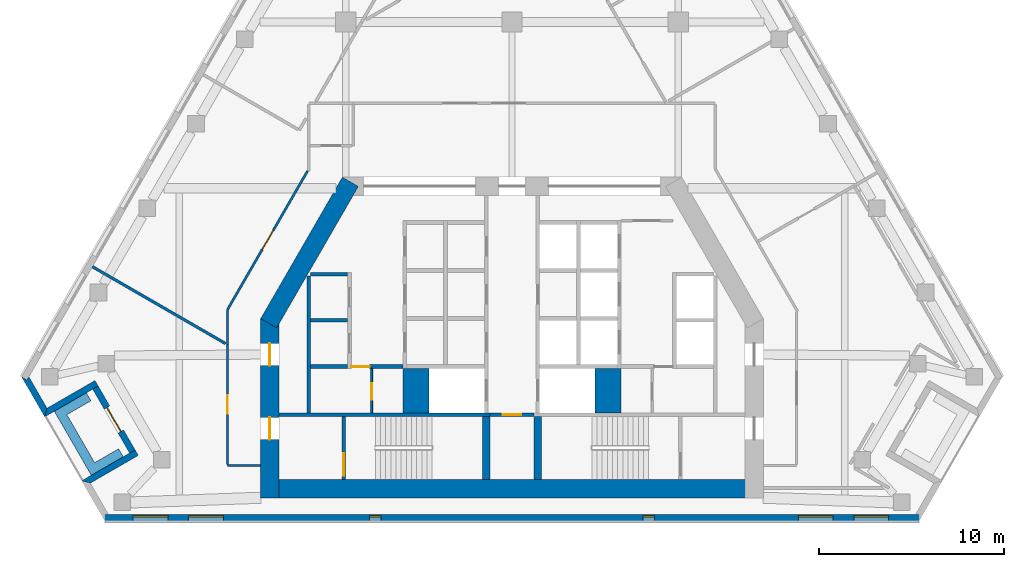
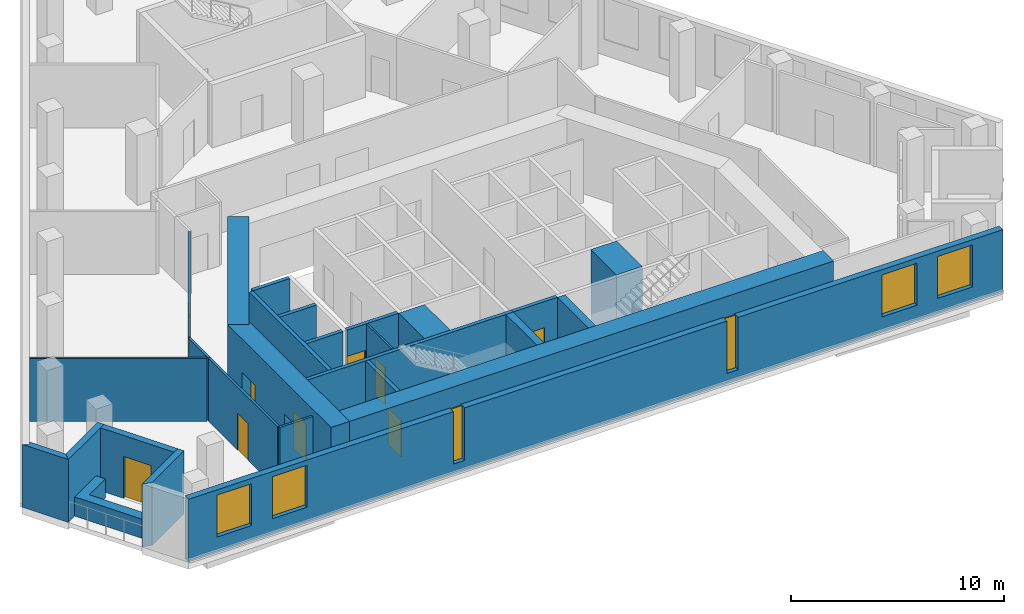
# One storey, part 2 of 8: 27 walls, 9 doors, 6 windows, 15 openings.
"""IFC4 building model written with IfcOpenShell, lengths in metres."""

from ifc_helpers import new_model, si_unit, direction, frame, frame_2d, origin, place, context, subcontext, project, spatial, polyline, rectangle, outline, extrude, material, layer, layer_set, type_object, element, fill, save


model = new_model("IFC4")

# Units and contexts
model_context = context("Model", 3, precision=1e-05, world=origin(), true_north=direction((0.0, 1.0)))
body_context = subcontext(model_context, "Body", "Model", "MODEL_VIEW")
ifc_project = project(units=[si_unit("LENGTHUNIT", "METRE"), si_unit("AREAUNIT", "SQUARE_METRE"), si_unit("VOLUMEUNIT", "CUBIC_METRE"), si_unit("PLANEANGLEUNIT", "RADIAN"), si_unit("MASSUNIT", "GRAM", prefix="KILO")], contexts=[model_context])

# Site, building, storey
site_placement = place(None, origin())
site = spatial("IfcSite", under=ifc_project, at=site_placement, CompositionType="ELEMENT")
building_placement = place(site_placement, origin())
building = spatial("IfcBuilding", under=site, at=building_placement, Name="Fogline Exchange Tower", CompositionType="ELEMENT")
storey_placement = place(building_placement, frame((0.0, 0.0, 239.5)))
storey = spatial("IfcBuildingStorey", under=building, at=storey_placement, Name="L54", CompositionType="ELEMENT", Elevation=239.5)

# Wall, opening, door
ifc_material_1 = material(Name="Blockwork partition", Category="masonry")
ifc_layer_1 = layer(ifc_material_1, 0.10009765625)
ifc_layer_set_1 = layer_set([ifc_layer_1], Name="CW10")
wall_type_1 = type_object("IfcWallType", Name="CW10", PredefinedType="PARTITIONING", material=ifc_layer_set_1)
wall_1_placement = place(storey_placement, frame((-7.60009765625, 5.85009765625, 0.0), z_axis=(0.0, 0.0, 1.0), x_axis=(0.0, 1.0, 0.0)))
wall_1 = element("IfcWall", 1, at=wall_1_placement, inside=storey, type_object=wall_type_1, Name="WC partition", PredefinedType="PARTITIONING", context=body_context, shape_type="SweptSolid", body=[
    extrude(rectangle(XDim=2.39990234375, YDim=0.10009765625, at=frame_2d((1.199951171875, 0.0))), origin(), (0.0, 0.0, 1.0), 3.60009765625),
])
opening_1_placement = place(wall_1_placement, frame((0.699951171875, 0.0, 0.0)))
opening_1 = element("IfcOpeningElement", 2, at=opening_1_placement, cuts=wall_1, Name="Opening T17-C012", PredefinedType="OPENING", context=body_context, shape_type="SweptSolid", body=[
    extrude(rectangle(XDim=0.89990234375, YDim=2.10009765625, at=frame_2d((0.449951171875, 1.050048828125))), frame((0.0, 0.06005859375, 0.0), z_axis=(0.0, -1.0, 0.0), x_axis=(1.0, 0.0, 0.0)), (0.0, 0.0, 1.0), 0.1201171875),
])
ifc_material_2 = material(Name="Steel and timber fire door", Category="steel")
door_type_1 = type_object("IfcDoorType", Name="D-CS1", OperationType="SINGLE_SWING_RIGHT", PredefinedType="DOOR", material=ifc_material_2)
door_1_placement = place(opening_1_placement, frame((0.89990234375, 0.0, 0.0), z_axis=(0.0, 0.0, 1.0), x_axis=(-1.0, 0.0, 0.0)))
door_1 = element("IfcDoor", 3, at=door_1_placement, inside=storey, type_object=door_type_1, Name="Door to Cleaner's Store", OperationType="SINGLE_SWING_RIGHT", OverallHeight=2.10009765625, OverallWidth=0.89990234375, PredefinedType="DOOR", context=body_context, shape_type="SweptSolid", body=[
    extrude(rectangle(XDim=0.89990234375, YDim=2.10009765625, at=frame_2d((0.449951171875, 1.050048828125))), frame((0.0, 0.02490234375, 0.0), z_axis=(0.0, -1.0, 0.0), x_axis=(1.0, 0.0, 0.0)), (0.0, 0.0, 1.0), 0.050048828125),
])
fill(opening_1, door_1)

# Walls
ifc_material_3 = material(Name="Concrete C60", Category="concrete")
ifc_layer_2 = layer(ifc_material_3, 1.39990234375)
ifc_layer_set_2 = layer_set([ifc_layer_2], Name="CW140")
wall_type_2 = type_object("IfcWallType", Name="CW140", PredefinedType="SOLIDWALL", material=ifc_layer_set_2)
for number, where, z_axis, x_axis, name in (
    (4, (-5.199951171875, 5.85009765625, -0.39990234375), (0.0, 0.0, 1.0), (0.0, 1.0, 0.0), "Lift shaft block wall"),
    (5, (5.199951171875, 5.85009765625, -0.39990234375), (0.0, 0.0, 1.0), (0.0, 1.0, 0.0), "Lift shaft block wall"),
):
    element("IfcWall", number, at=place(storey_placement, frame(where, z_axis=z_axis, x_axis=x_axis)), inside=storey, type_object=wall_type_2, Name=name, PredefinedType="SOLIDWALL", context=body_context, shape_type="SweptSolid", body=[
        extrude(rectangle(XDim=2.39990234375, YDim=1.39990234375, at=frame_2d((1.199951171875, 0.0))), origin(), (0.0, 0.0, 1.0), 4.0),
    ])
ifc_material_4 = material(Name="Concrete C40", Category="concrete")
ifc_layer_3 = layer(ifc_material_4, 0.199951171875)
ifc_layer_set_3 = layer_set([ifc_layer_3], Name="CW20")
wall_type_3 = type_object("IfcWallType", Name="CW20", PredefinedType="SOLIDWALL", material=ifc_layer_set_3)
wall_2_placement = place(storey_placement, frame((-11.0, 5.85009765625, 0.0), z_axis=(0.0, 0.0, 1.0), x_axis=(0.0, 1.0, 0.0)))
element("IfcWall", 6, at=wall_2_placement, inside=storey, type_object=wall_type_3, Name="Service room wall", PredefinedType="SOLIDWALL", context=body_context, shape_type="SweptSolid", body=[
    extrude(rectangle(XDim=7.39990234375, YDim=0.199951171875, at=frame_2d((3.699951171875, 0.0))), origin(), (0.0, 0.0, 1.0), 3.60009765625),
])
wall_3_placement = place(storey_placement, frame((-10.89990234375, 10.85009765625, 0.0), z_axis=(0.0, 0.0, 1.0), x_axis=(1.0, 0.0, 0.0)))
element("IfcWall", 7, at=wall_3_placement, inside=storey, type_object=wall_type_3, Name="Service room wall", PredefinedType="SOLIDWALL", context=body_context, shape_type="SweptSolid", body=[
    extrude(rectangle(XDim=2.0, YDim=0.199951171875, at=frame_2d((1.0, 0.0))), origin(), (0.0, 0.0, 1.0), 3.60009765625),
])

# Wall, opening, door
wall_4_placement = place(storey_placement, frame((-8.699951171875, 8.35009765625, 0.0), z_axis=(0.0, 0.0, 1.0), x_axis=(1.0, 0.0, 0.0)))
wall_4 = element("IfcWall", 8, at=wall_4_placement, inside=storey, type_object=wall_type_3, Name="WC wall", PredefinedType="SOLIDWALL", context=body_context, shape_type="SweptSolid", body=[
    extrude(rectangle(XDim=2.800048828125, YDim=0.199951171875, at=frame_2d((1.39990234375, 0.0))), origin(), (0.0, 0.0, 1.0), 3.60009765625),
])
opening_2_placement = place(wall_4_placement, origin())
opening_2 = element("IfcOpeningElement", 9, at=opening_2_placement, cuts=wall_4, Name="Opening T17-C011", PredefinedType="OPENING", context=body_context, shape_type="SweptSolid", body=[
    extrude(rectangle(XDim=1.0, YDim=2.10009765625, at=frame_2d((0.5, 1.050048828125))), frame((0.0, 0.10986328125, 0.0), z_axis=(0.0, -1.0, 0.0), x_axis=(1.0, 0.0, 0.0)), (0.0, 0.0, 1.0), 0.219970703125),
])
door_type_2 = type_object("IfcDoorType", Name="D-WC1", OperationType="SINGLE_SWING_LEFT", PredefinedType="DOOR", material=ifc_material_2)
door_2_placement = place(opening_2_placement, frame((1.0, 0.0, 0.0), z_axis=(0.0, 0.0, 1.0), x_axis=(-1.0, 0.0, 0.0)))
door_2 = element("IfcDoor", 10, at=door_2_placement, inside=storey, type_object=door_type_2, Name="Door to Men's WC", OperationType="SINGLE_SWING_LEFT", OverallHeight=2.10009765625, OverallWidth=1.0, PredefinedType="DOOR", context=body_context, shape_type="SweptSolid", body=[
    extrude(rectangle(XDim=1.0, YDim=2.10009765625, at=frame_2d((0.5, 1.050048828125))), frame((0.0, 0.02490234375, 0.0), z_axis=(0.0, -1.0, 0.0), x_axis=(1.0, 0.0, 0.0)), (0.0, 0.0, 1.0), 0.050048828125),
])
fill(opening_2, door_2)

# Wall
ifc_layer_4 = layer(ifc_material_4, 0.199951171875)
ifc_layer_set_4 = layer_set([ifc_layer_4], Name="CW20R")
wall_type_4 = type_object("IfcWallType", Name="CW20R", PredefinedType="SOLIDWALL", material=ifc_layer_set_4)
wall_5_placement = place(storey_placement, frame((-12.60009765625, 5.75, -0.39990234375), z_axis=(0.0, 0.0, 1.0), x_axis=(1.0, 0.0, 0.0)))
element("IfcWall", 11, at=wall_5_placement, inside=storey, type_object=wall_type_4, Name="Stair enclosure wall", PredefinedType="SOLIDWALL", context=body_context, shape_type="SweptSolid", body=[
    extrude(rectangle(XDim=11.400146484375, YDim=0.199951171875, at=frame_2d((5.7001953125, 0.0))), origin(), (0.0, 0.0, 1.0), 4.0),
])

# Wall, opening, door
wall_6_placement = place(storey_placement, frame((-1.199951171875, 5.75, -0.39990234375), z_axis=(0.0, 0.0, 1.0), x_axis=(1.0, 0.0, 0.0)))
wall_6 = element("IfcWall", 12, at=wall_6_placement, inside=storey, type_object=wall_type_4, Name="Stair enclosure wall", PredefinedType="SOLIDWALL", context=body_context, shape_type="SweptSolid", body=[
    extrude(rectangle(XDim=2.39990234375, YDim=0.199951171875, at=frame_2d((1.199951171875, 0.0))), origin(), (0.0, 0.0, 1.0), 4.0),
])
opening_3_placement = place(wall_6_placement, frame((0.699951171875, 0.0, 0.39990234375)))
opening_3 = element("IfcOpeningElement", 13, at=opening_3_placement, cuts=wall_6, Name="Opening T17-C010", PredefinedType="OPENING", context=body_context, shape_type="SweptSolid", body=[
    extrude(rectangle(XDim=1.0, YDim=2.10009765625, at=frame_2d((0.5, 1.050048828125))), frame((0.0, 0.10986328125, 0.0), z_axis=(0.0, -1.0, 0.0), x_axis=(1.0, 0.0, 0.0)), (0.0, 0.0, 1.0), 0.219970703125),
])
door_type_3 = type_object("IfcDoorType", Name="D-RM1", OperationType="SINGLE_SWING_LEFT", PredefinedType="DOOR", material=ifc_material_2)
door_3_placement = place(opening_3_placement, frame((1.0, 0.0, 0.0), z_axis=(0.0, 0.0, 1.0), x_axis=(-1.0, 0.0, 0.0)))
door_3 = element("IfcDoor", 14, at=door_3_placement, inside=storey, type_object=door_type_3, Name="Door to Plant Room", OperationType="SINGLE_SWING_RIGHT", OverallHeight=2.10009765625, OverallWidth=1.0, PredefinedType="DOOR", context=body_context, shape_type="SweptSolid", body=[
    extrude(rectangle(XDim=1.0, YDim=2.10009765625, at=frame_2d((0.5, 1.050048828125))), frame((0.0, 0.02490234375, 0.0), z_axis=(0.0, -1.0, 0.0), x_axis=(1.0, 0.0, 0.0)), (0.0, 0.0, 1.0), 0.050048828125),
])
fill(opening_3, door_3)

wall_7_placement = place(storey_placement, frame((-9.10009765625, 2.25, -0.39990234375), z_axis=(0.0, 0.0, 1.0), x_axis=(0.0, 1.0, 0.0)))
wall_7 = element("IfcWall", 15, at=wall_7_placement, inside=storey, type_object=wall_type_4, Name="Stair enclosure wall", PredefinedType="SOLIDWALL", context=body_context, shape_type="SweptSolid", body=[
    extrude(rectangle(XDim=3.39990234375, YDim=0.199951171875, at=frame_2d((1.699951171875, 0.0))), origin(), (0.0, 0.0, 1.0), 4.0),
])
opening_4_placement = place(wall_7_placement, frame((0.199951171875, 0.0, 0.39990234375)))
opening_4 = element("IfcOpeningElement", 16, at=opening_4_placement, cuts=wall_7, Name="Opening T17-C014", PredefinedType="OPENING", context=body_context, shape_type="SweptSolid", body=[
    extrude(rectangle(XDim=1.199951171875, YDim=2.10009765625, at=frame_2d((0.60009765625, 1.050048828125))), frame((0.0, 0.10986328125, 0.0), z_axis=(0.0, -1.0, 0.0), x_axis=(1.0, 0.0, 0.0)), (0.0, 0.0, 1.0), 0.219970703125),
])
door_type_4 = type_object("IfcDoorType", Name="D-ST1", OperationType="SINGLE_SWING_LEFT", PredefinedType="DOOR", material=ifc_material_2)
door_4_placement = place(opening_4_placement, frame((1.199951171875, 0.0, 0.0), z_axis=(0.0, 0.0, 1.0), x_axis=(-1.0, 0.0, 0.0)))
door_4 = element("IfcDoor", 17, at=door_4_placement, inside=storey, type_object=door_type_4, Name="Stair door ST1", OperationType="SINGLE_SWING_RIGHT", OverallHeight=2.10009765625, OverallWidth=1.199951171875, PredefinedType="DOOR", context=body_context, shape_type="SweptSolid", body=[
    extrude(rectangle(XDim=1.199951171875, YDim=2.10009765625, at=frame_2d((0.60009765625, 1.050048828125))), frame((0.0, 0.02490234375, 0.0), z_axis=(0.0, -1.0, 0.0), x_axis=(1.0, 0.0, 0.0)), (0.0, 0.0, 1.0), 0.050048828125),
])
fill(opening_4, door_4)

# Walls
ifc_layer_5 = layer(ifc_material_4, 0.199951171875)
ifc_layer_set_5 = layer_set([ifc_layer_5], Name="CW20S")
wall_type_5 = type_object("IfcWallType", Name="CW20S", PredefinedType="SOLIDWALL", material=ifc_layer_set_5)
for number, where, z_axis, x_axis, name in (
    (18, (-10.89990234375, 8.35009765625, -0.39990234375), (0.0, 0.0, 1.0), (1.0, 0.0, 0.0), "Lift shaft wall"),
    (19, (-10.89990234375, 13.35009765625, -0.39990234375), (0.0, 0.0, 1.0), (1.0, 0.0, 0.0), "Lift shaft wall"),
):
    element("IfcWall", number, at=place(storey_placement, frame(where, z_axis=z_axis, x_axis=x_axis)), inside=storey, type_object=wall_type_5, Name=name, PredefinedType="SOLIDWALL", context=body_context, shape_type="SweptSolid", body=[
        extrude(rectangle(XDim=2.0, YDim=0.199951171875, at=frame_2d((1.0, 0.0))), origin(), (0.0, 0.0, 1.0), 4.0),
    ])
ifc_layer_6 = layer(ifc_material_4, 0.39990234375)
ifc_layer_set_6 = layer_set([ifc_layer_6], Name="CW40R")
wall_type_6 = type_object("IfcWallType", Name="CW40R", PredefinedType="SOLIDWALL", material=ifc_layer_set_6)
for number, where, z_axis, x_axis, name in (
    (20, (-1.39990234375, 2.25, -0.39990234375), (0.0, 0.0, 1.0), (0.0, 1.0, 0.0), "Stair and lift shaft wall"),
    (21, (1.39990234375, 2.25, -0.39990234375), (0.0, 0.0, 1.0), (0.0, 1.0, 0.0), "Stair and lift shaft wall"),
):
    element("IfcWall", number, at=place(storey_placement, frame(where, z_axis=z_axis, x_axis=x_axis)), inside=storey, type_object=wall_type_6, Name=name, PredefinedType="SOLIDWALL", context=body_context, shape_type="SweptSolid", body=[
        extrude(rectangle(XDim=3.39990234375, YDim=0.39990234375, at=frame_2d((1.699951171875, 0.0))), origin(), (0.0, 0.0, 1.0), 4.0),
    ])
ifc_material_5 = material(Name="Brick masonry", Category="masonry")
ifc_layer_7 = layer(ifc_material_5, 0.340087890625)
ifc_layer_set_7 = layer_set([ifc_layer_7], Name="FW1")
wall_type_7 = type_object("IfcWallType", Name="FW1", PredefinedType="SOLIDWALL", material=ifc_layer_set_7)
wall_8_placement = place(storey_placement, origin())
element("IfcWall", 22, at=wall_8_placement, inside=storey, type_object=wall_type_7, Name="Brick wall L54 SW-c1", PredefinedType="SOLIDWALL", context=body_context, shape_type="SweptSolid", body=[
    extrude(outline(polyline([(-25.291748046875, 5.6279296875), (-26.542724609375, 7.794921875), (-26.54248046875, 7.79541015625), (-26.24755859375, 7.625), (-26.149169921875, 7.79541015625), (-25.166748046875, 6.09375), (-25.29150390625, 5.6279296875), (-25.291748046875, 5.6279296875)])), origin(), (0.0, 0.0, 1.0), 3.60009765625),
])
wall_9_placement = place(storey_placement, origin())
element("IfcWall", 23, at=wall_9_placement, inside=storey, type_object=wall_type_7, Name="Brick wall L54 SW-s1", PredefinedType="SOLIDWALL", context=body_context, shape_type="SweptSolid", body=[
    extrude(outline(polyline([(-22.569091796875, 7.594482421875), (-22.3984375, 7.298828125), (-22.693359375, 7.128662109375), (-25.292236328125, 5.628173828125), (-25.29248046875, 5.62841796875), (-25.167724609375, 6.093994140625), (-22.569091796875, 7.594482421875)])), origin(), (0.0, 0.0, 1.0), 3.60009765625),
])

# Wall, opening, door
wall_10_placement = place(storey_placement, frame((-22.54638671875, 7.214111328125, 0.0), z_axis=(0.0, 0.0, 1.0), x_axis=(0.49999894854, -0.866026010844, 0.0)))
wall_10 = element("IfcWall", 24, at=wall_10_placement, inside=storey, type_object=wall_type_7, Name="Brick wall L54 SW-bk", PredefinedType="SOLIDWALL", context=body_context, shape_type="SweptSolid", body=[
    extrude(rectangle(XDim=4.0, YDim=0.340087890625, at=frame_2d((2.0, 0.0))), origin(), (0.0, 0.0, 1.0), 3.60009765625),
])
opening_5_placement = place(wall_10_placement, frame((1.25, 0.0, 0.0)))
opening_5 = element("IfcOpeningElement", 25, at=opening_5_placement, cuts=wall_10, Name="Opening T17-E021", PredefinedType="OPENING", context=body_context, shape_type="SweptSolid", body=[
    extrude(rectangle(XDim=1.5, YDim=2.39990234375, at=frame_2d((0.75, 1.199951171875))), frame((0.0, 0.18017578125, 0.0), z_axis=(0.0, -1.0, 0.0), x_axis=(1.0, 0.0, 0.0)), (0.0, 0.0, 1.0), 0.360107421875),
])
ifc_material_6 = material(Name="Aluminium and glass", Category="aluminium")
door_type_5 = type_object("IfcDoorType", Name="ED4", OperationType="SINGLE_SWING_LEFT", PredefinedType="DOOR", material=ifc_material_6)
door_5_placement = place(opening_5_placement, frame((1.5, 0.0, 0.0), z_axis=(0.0, 0.0, 1.0), x_axis=(-1.0, 0.0, 0.0)))
door_5 = element("IfcDoor", 26, at=door_5_placement, inside=storey, type_object=door_type_5, Name="Balcony door L54 SW", OperationType="DOUBLE_DOOR_SINGLE_SWING", OverallHeight=2.39990234375, OverallWidth=1.5, PredefinedType="DOOR", context=body_context, shape_type="SweptSolid", body=[
    extrude(rectangle(XDim=1.5, YDim=2.39990234375, at=frame_2d((0.75, 1.199951171875))), frame((0.0, 0.02490234375, 0.0), z_axis=(0.0, -1.0, 0.0), x_axis=(1.0, 0.0, 0.0)), (0.0, 0.0, 1.0), 0.050048828125),
])
fill(opening_5, door_5)

# Wall
wall_11_placement = place(storey_placement, origin())
element("IfcWall", 27, at=wall_11_placement, inside=storey, type_object=wall_type_7, Name="Brick wall L54 SW-s2", PredefinedType="SOLIDWALL", context=body_context, shape_type="SweptSolid", body=[
    extrude(outline(polyline([(-23.29296875, 2.1650390625), (-20.694091796875, 3.66552734375), (-20.39892578125, 3.8359375), (-20.228515625, 3.540283203125), (-22.8271484375, 2.0400390625), (-23.29296875, 2.164794921875), (-23.29296875, 2.1650390625)])), origin(), (0.0, 0.0, 1.0), 3.60009765625),
])

# Wall, openings, windows
wall_12_placement = place(storey_placement, frame((-22.041748046875, 0.169921875, 0.0), z_axis=(0.0, 0.0, 1.0), x_axis=(1.0, 0.0, 0.0)))
wall_12 = element("IfcWall", 28, at=wall_12_placement, inside=storey, type_object=wall_type_7, Name="Brick wall L54 S", PredefinedType="SOLIDWALL", context=body_context, shape_type="SweptSolid", body=[
    extrude(rectangle(XDim=44.08349609375, YDim=0.340087890625, at=frame_2d((22.041748046875, 0.0))), origin(), (0.0, 0.0, 1.0), 3.60009765625),
])
opening_6_placement = place(wall_12_placement, frame((1.541748046875, 0.0, 0.89990234375)))
opening_6 = element("IfcOpeningElement", 29, at=opening_6_placement, cuts=wall_12, Name="Opening W1", PredefinedType="OPENING", context=body_context, shape_type="SweptSolid", body=[
    extrude(rectangle(XDim=1.885009765625, YDim=2.39990234375, at=frame_2d((0.9423828125, 1.199951171875))), frame((0.0, 0.18017578125, 0.0), z_axis=(0.0, -1.0, 0.0), x_axis=(1.0, 0.0, 0.0)), (0.0, 0.0, 1.0), 0.360107421875),
])
opening_7_placement = place(wall_12_placement, frame((4.541748046875, 0.0, 0.89990234375)))
opening_7 = element("IfcOpeningElement", 30, at=opening_7_placement, cuts=wall_12, Name="Opening W1", PredefinedType="OPENING", context=body_context, shape_type="SweptSolid", body=[
    extrude(rectangle(XDim=1.885009765625, YDim=2.39990234375, at=frame_2d((0.9423828125, 1.199951171875))), frame((0.0, 0.18017578125, 0.0), z_axis=(0.0, -1.0, 0.0), x_axis=(1.0, 0.0, 0.0)), (0.0, 0.0, 1.0), 0.360107421875),
])
opening_8_placement = place(wall_12_placement, frame((37.541748046875, 0.0, 0.89990234375)))
opening_8 = element("IfcOpeningElement", 31, at=opening_8_placement, cuts=wall_12, Name="Opening W1", PredefinedType="OPENING", context=body_context, shape_type="SweptSolid", body=[
    extrude(rectangle(XDim=1.885009765625, YDim=2.39990234375, at=frame_2d((0.9423828125, 1.199951171875))), frame((0.0, 0.18017578125, 0.0), z_axis=(0.0, -1.0, 0.0), x_axis=(1.0, 0.0, 0.0)), (0.0, 0.0, 1.0), 0.360107421875),
])
opening_9_placement = place(wall_12_placement, frame((40.541748046875, 0.0, 0.89990234375)))
opening_9 = element("IfcOpeningElement", 32, at=opening_9_placement, cuts=wall_12, Name="Opening W1", PredefinedType="OPENING", context=body_context, shape_type="SweptSolid", body=[
    extrude(rectangle(XDim=1.885009765625, YDim=2.39990234375, at=frame_2d((0.9423828125, 1.199951171875))), frame((0.0, 0.18017578125, 0.0), z_axis=(0.0, -1.0, 0.0), x_axis=(1.0, 0.0, 0.0)), (0.0, 0.0, 1.0), 0.360107421875),
])
opening_10_placement = place(wall_12_placement, frame((14.341796875, 0.0, 0.60009765625)))
opening_10 = element("IfcOpeningElement", 33, at=opening_10_placement, cuts=wall_12, Name="Opening W5", PredefinedType="OPENING", context=body_context, shape_type="SweptSolid", body=[
    extrude(rectangle(XDim=0.60009765625, YDim=3.0, at=frame_2d((0.300048828125, 1.5))), frame((0.0, 0.18017578125, 0.0), z_axis=(0.0, -1.0, 0.0), x_axis=(1.0, 0.0, 0.0)), (0.0, 0.0, 1.0), 0.360107421875),
])
opening_11_placement = place(wall_12_placement, frame((29.141845703125, 0.0, 0.60009765625)))
opening_11 = element("IfcOpeningElement", 34, at=opening_11_placement, cuts=wall_12, Name="Opening W5", PredefinedType="OPENING", context=body_context, shape_type="SweptSolid", body=[
    extrude(rectangle(XDim=0.60009765625, YDim=3.0, at=frame_2d((0.300048828125, 1.5))), frame((0.0, 0.18017578125, 0.0), z_axis=(0.0, -1.0, 0.0), x_axis=(1.0, 0.0, 0.0)), (0.0, 0.0, 1.0), 0.360107421875),
])
window_type_1 = type_object("IfcWindowType", Name="W1", PartitioningType="SINGLE_PANEL", PredefinedType="WINDOW", material=ifc_material_6)
window_1_placement = place(opening_6_placement, origin())
window_1 = element("IfcWindow", 35, at=window_1_placement, inside=storey, type_object=window_type_1, Name="W1 W1", OverallHeight=2.39990234375, OverallWidth=1.885009765625, PartitioningType="SINGLE_PANEL", PredefinedType="WINDOW", context=body_context, shape_type="SweptSolid", body=[
    extrude(rectangle(XDim=1.885009765625, YDim=2.39990234375, at=frame_2d((0.9423828125, 1.199951171875))), frame((0.0, 0.110107421875, 0.0), z_axis=(0.0, -1.0, 0.0), x_axis=(1.0, 0.0, 0.0)), (0.0, 0.0, 1.0), 0.06005859375),
])
fill(opening_6, window_1)
window_2_placement = place(opening_7_placement, origin())
window_2 = element("IfcWindow", 36, at=window_2_placement, inside=storey, type_object=window_type_1, Name="W1 W1", OverallHeight=2.39990234375, OverallWidth=1.885009765625, PartitioningType="SINGLE_PANEL", PredefinedType="WINDOW", context=body_context, shape_type="SweptSolid", body=[
    extrude(rectangle(XDim=1.885009765625, YDim=2.39990234375, at=frame_2d((0.9423828125, 1.199951171875))), frame((0.0, 0.110107421875, 0.0), z_axis=(0.0, -1.0, 0.0), x_axis=(1.0, 0.0, 0.0)), (0.0, 0.0, 1.0), 0.06005859375),
])
fill(opening_7, window_2)
window_3_placement = place(opening_8_placement, origin())
window_3 = element("IfcWindow", 37, at=window_3_placement, inside=storey, type_object=window_type_1, Name="W1 W1", OverallHeight=2.39990234375, OverallWidth=1.885009765625, PartitioningType="SINGLE_PANEL", PredefinedType="WINDOW", context=body_context, shape_type="SweptSolid", body=[
    extrude(rectangle(XDim=1.885009765625, YDim=2.39990234375, at=frame_2d((0.9423828125, 1.199951171875))), frame((0.0, 0.110107421875, 0.0), z_axis=(0.0, -1.0, 0.0), x_axis=(1.0, 0.0, 0.0)), (0.0, 0.0, 1.0), 0.06005859375),
])
fill(opening_8, window_3)
window_4_placement = place(opening_9_placement, origin())
window_4 = element("IfcWindow", 38, at=window_4_placement, inside=storey, type_object=window_type_1, Name="W1 W1", OverallHeight=2.39990234375, OverallWidth=1.885009765625, PartitioningType="SINGLE_PANEL", PredefinedType="WINDOW", context=body_context, shape_type="SweptSolid", body=[
    extrude(rectangle(XDim=1.885009765625, YDim=2.39990234375, at=frame_2d((0.9423828125, 1.199951171875))), frame((0.0, 0.110107421875, 0.0), z_axis=(0.0, -1.0, 0.0), x_axis=(1.0, 0.0, 0.0)), (0.0, 0.0, 1.0), 0.06005859375),
])
fill(opening_9, window_4)
window_type_2 = type_object("IfcWindowType", Name="W5", PartitioningType="SINGLE_PANEL", PredefinedType="WINDOW", material=ifc_material_6)
window_5_placement = place(opening_10_placement, origin())
window_5 = element("IfcWindow", 39, at=window_5_placement, inside=storey, type_object=window_type_2, Name="W5 W5", OverallHeight=3.0, OverallWidth=0.60009765625, PartitioningType="SINGLE_PANEL", PredefinedType="WINDOW", context=body_context, shape_type="SweptSolid", body=[
    extrude(rectangle(XDim=0.60009765625, YDim=3.0, at=frame_2d((0.300048828125, 1.5))), frame((0.0, 0.110107421875, 0.0), z_axis=(0.0, -1.0, 0.0), x_axis=(1.0, 0.0, 0.0)), (0.0, 0.0, 1.0), 0.06005859375),
])
fill(opening_10, window_5)
window_6_placement = place(opening_11_placement, origin())
window_6 = element("IfcWindow", 40, at=window_6_placement, inside=storey, type_object=window_type_2, Name="W5 W5", OverallHeight=3.0, OverallWidth=0.60009765625, PartitioningType="SINGLE_PANEL", PredefinedType="WINDOW", context=body_context, shape_type="SweptSolid", body=[
    extrude(rectangle(XDim=0.60009765625, YDim=3.0, at=frame_2d((0.300048828125, 1.5))), frame((0.0, 0.110107421875, 0.0), z_axis=(0.0, -1.0, 0.0), x_axis=(1.0, 0.0, 0.0)), (0.0, 0.0, 1.0), 0.06005859375),
])
fill(opening_11, window_6)

# Walls
ifc_material_7 = material(Name="Concrete C30", Category="concrete")
ifc_layer_8 = layer(ifc_material_7, 0.199951171875)
ifc_layer_set_8 = layer_set([ifc_layer_8], Name="PL1")
wall_type_8 = type_object("IfcWallType", Name="PL1", PredefinedType="USERDEFINED", material=ifc_layer_set_8)
wall_13_placement = place(storey_placement, origin())
element("IfcWall", 41, at=wall_13_placement, inside=storey, type_object=wall_type_8, Name="PLANTER balcony L54 SW", ObjectType="PLANTER", PredefinedType="USERDEFINED", context=body_context, shape_type="SweptSolid", body=[
    extrude(outline(polyline([(-21.2900390625, 3.898193359375), (-22.589111328125, 3.148193359375), (-24.089111328125, 5.74609375), (-22.7900390625, 6.49609375), (-23.0400390625, 6.92919921875), (-24.772216796875, 5.92919921875), (-24.522216796875, 5.49609375), (-22.772216796875, 2.465087890625), (-22.339111328125, 2.715087890625), (-22.339111328125, 2.715087890625), (-21.0400390625, 3.465087890625), (-21.2900390625, 3.898193359375)])), origin(), (0.0, 0.0, 1.0), 1.10009765625),
])
ifc_material_8 = material(Name="Plasterboard corridor partition with mineral wool, 2 layers each side")
ifc_layer_9 = layer(ifc_material_8, 0.125)
ifc_layer_set_9 = layer_set([ifc_layer_9], Name="PW2")
wall_type_9 = type_object("IfcWallType", Name="PW2", PredefinedType="PARTITIONING", material=ifc_layer_set_9)
wall_14_placement = place(storey_placement, frame((-15.39990234375, 9.534912109375, 0.0), z_axis=(0.0, 0.0, 1.0), x_axis=(0.0, 1.0, 0.0)))
element("IfcWall", 42, at=wall_14_placement, inside=storey, type_object=wall_type_9, Name="wall-L54-W011", PredefinedType="PARTITIONING", context=body_context, shape_type="SweptSolid", body=[
    extrude(rectangle(XDim=1.892822265625, YDim=0.125, at=frame_2d((0.9462890625, 0.0))), origin(), (0.0, 0.0, 1.0), 3.60009765625),
])

# Wall, opening, door
wall_15_placement = place(storey_placement, frame((-15.384521484375, 11.454833984375, 0.0), z_axis=(0.0, 0.0, 1.0), x_axis=(0.500018289754, 0.866014843933, 0.0)))
wall_15 = element("IfcWall", 43, at=wall_15_placement, inside=storey, type_object=wall_type_9, Name="wall-L54-W012", PredefinedType="PARTITIONING", context=body_context, shape_type="SweptSolid", body=[
    extrude(rectangle(XDim=8.643798828125, YDim=0.125, at=frame_2d((4.32177734375, 0.0))), origin(), (0.0, 0.0, 1.0), 3.60009765625),
])
opening_12_placement = place(wall_15_placement, frame((3.721923828125, 0.0, 0.0)))
opening_12 = element("IfcOpeningElement", 44, at=opening_12_placement, cuts=wall_15, Name="Opening T17-D005", PredefinedType="OPENING", context=body_context, shape_type="SweptSolid", body=[
    extrude(rectangle(XDim=1.199951171875, YDim=2.10009765625, at=frame_2d((0.60009765625, 1.050048828125))), frame((0.0, 0.072509765625, 0.0), z_axis=(0.0, -1.0, 0.0), x_axis=(1.0, 0.0, 0.0)), (0.0, 0.0, 1.0), 0.14501953125),
])
ifc_material_9 = material(Name="Fire-rated glazed door leaf with steel frame", Category="steel")
door_type_6 = type_object("IfcDoorType", Name="D5", OperationType="SINGLE_SWING_LEFT", PredefinedType="DOOR", material=ifc_material_9)
door_6_placement = place(opening_12_placement, origin())
door_6 = element("IfcDoor", 45, at=door_6_placement, inside=storey, type_object=door_type_6, Name="door-L54-D005", OperationType="SINGLE_SWING_RIGHT", OverallHeight=2.10009765625, OverallWidth=1.199951171875, PredefinedType="DOOR", context=body_context, shape_type="SweptSolid", body=[
    extrude(rectangle(XDim=1.199951171875, YDim=2.10009765625, at=frame_2d((0.60009765625, 1.050048828125))), frame((0.0, 0.02490234375, 0.0), z_axis=(0.0, -1.0, 0.0), x_axis=(1.0, 0.0, 0.0)), (0.0, 0.0, 1.0), 0.050048828125),
])
fill(opening_12, door_6)

# Wall
wall_16_placement = place(storey_placement, frame((-13.60009765625, 3.0, 0.0), z_axis=(0.0, 0.0, 1.0), x_axis=(-1.0, 0.0, 0.0)))
element("IfcWall", 46, at=wall_16_placement, inside=storey, type_object=wall_type_9, Name="wall-L54-W013", PredefinedType="PARTITIONING", context=body_context, shape_type="SweptSolid", body=[
    extrude(rectangle(XDim=1.7998046875, YDim=0.125, at=frame_2d((0.89990234375, 0.0))), origin(), (0.0, 0.0, 1.0), 3.60009765625),
])

# Wall, opening, door
wall_17_placement = place(storey_placement, frame((-15.39990234375, 3.0625, 0.0), z_axis=(0.0, 0.0, 1.0), x_axis=(0.0, 1.0, 0.0)))
wall_17 = element("IfcWall", 47, at=wall_17_placement, inside=storey, type_object=wall_type_9, Name="wall-L54-W014", PredefinedType="PARTITIONING", context=body_context, shape_type="SweptSolid", body=[
    extrude(rectangle(XDim=6.472412109375, YDim=0.125, at=frame_2d((3.236328125, 0.0))), origin(), (0.0, 0.0, 1.0), 3.60009765625),
])
opening_13_placement = place(wall_17_placement, frame((2.736083984375, 0.0, 0.0)))
opening_13 = element("IfcOpeningElement", 48, at=opening_13_placement, cuts=wall_17, Name="Opening T17-D006", PredefinedType="OPENING", context=body_context, shape_type="SweptSolid", body=[
    extrude(rectangle(XDim=1.0, YDim=2.10009765625, at=frame_2d((0.5, 1.050048828125))), frame((0.0, 0.072509765625, 0.0), z_axis=(0.0, -1.0, 0.0), x_axis=(1.0, 0.0, 0.0)), (0.0, 0.0, 1.0), 0.14501953125),
])
ifc_material_10 = material(Name="Fire-rated timber door leaf with steel frame", Category="steel")
door_type_7 = type_object("IfcDoorType", Name="D3", OperationType="SINGLE_SWING_LEFT", PredefinedType="DOOR", material=ifc_material_10)
door_7_placement = place(opening_13_placement, origin())
door_7 = element("IfcDoor", 49, at=door_7_placement, inside=storey, type_object=door_type_7, Name="door-L54-D006", OperationType="SINGLE_SWING_LEFT", OverallHeight=2.10009765625, OverallWidth=1.0, PredefinedType="DOOR", context=body_context, shape_type="SweptSolid", body=[
    extrude(rectangle(XDim=1.0, YDim=2.10009765625, at=frame_2d((0.5, 1.050048828125))), frame((0.0, 0.02490234375, 0.0), z_axis=(0.0, -1.0, 0.0), x_axis=(1.0, 0.0, 0.0)), (0.0, 0.0, 1.0), 0.050048828125),
])
fill(opening_13, door_7)

# Walls
ifc_material_11 = material(Name="Plasterboard demising partition with mineral wool and acoustic board")
ifc_layer_10 = layer(ifc_material_11, 0.14990234375)
ifc_layer_set_10 = layer_set([ifc_layer_10], Name="PW3")
wall_type_10 = type_object("IfcWallType", Name="PW3", PredefinedType="PARTITIONING", material=ifc_layer_set_10)
wall_18_placement = place(storey_placement, frame((-15.50048828125, 9.593017578125, 0.0), z_axis=(0.0, 0.0, 1.0), x_axis=(-0.866019492669, 0.500010238213, 0.0)))
element("IfcWall", 50, at=wall_18_placement, inside=storey, type_object=wall_type_10, Name="wall-L54-W034", PredefinedType="PARTITIONING", context=body_context, shape_type="SweptSolid", body=[
    extrude(rectangle(XDim=8.322509765625, YDim=0.14990234375, at=frame_2d((4.1611328125, 0.0))), origin(), (0.0, 0.0, 1.0), 3.60009765625),
])
ifc_layer_11 = layer(ifc_material_3, 1.0)
ifc_layer_set_11 = layer_set([ifc_layer_11], Name="SW03")
wall_type_11 = type_object("IfcWallType", Name="SW03", PredefinedType="SHEAR", material=ifc_layer_set_11)
wall_19_placement = place(storey_placement, frame((-13.60009765625, 1.75, 0.0), z_axis=(0.0, 0.0, 1.0), x_axis=(1.0, 0.0, 0.0)))
element("IfcWall", 51, at=wall_19_placement, inside=storey, type_object=wall_type_11, Name="L54-W901", PredefinedType="SHEAR", context=body_context, shape_type="SweptSolid", body=[
    extrude(rectangle(XDim=27.2001953125, YDim=1.0, at=frame_2d((13.60009765625, 0.0))), origin(), (0.0, 0.0, 1.0), 4.0),
])
wall_20_placement = place(storey_placement, frame((-8.74755859375, 18.35009765625, 0.0), z_axis=(0.0, 0.0, 1.0), x_axis=(-0.499995021168, -0.866028278295, 0.0)))
element("IfcWall", 52, at=wall_20_placement, inside=storey, type_object=wall_type_11, Name="L54-W905", PredefinedType="SHEAR", context=body_context, shape_type="SweptSolid", body=[
    extrude(rectangle(XDim=8.8388671875, YDim=1.0, at=frame_2d((4.41943359375, 0.0))), origin(), (0.0, 0.0, 1.0), 4.0),
])

# Wall, openings, doors
wall_21_placement = place(storey_placement, frame((-13.10009765625, 10.9453125, 0.0), z_axis=(0.0, 0.0, 1.0), x_axis=(0.0, -1.0, 0.0)))
wall_21 = element("IfcWall", 53, at=wall_21_placement, inside=storey, type_object=wall_type_11, Name="L54-W906", PredefinedType="SHEAR", context=body_context, shape_type="SweptSolid", body=[
    extrude(rectangle(XDim=9.6953125, YDim=1.0, at=frame_2d((4.84765625, 0.0))), origin(), (0.0, 0.0, 1.0), 4.0),
])
opening_14_placement = place(wall_21_placement, frame((5.345458984375, 0.0, 0.0)))
opening_14 = element("IfcOpeningElement", 54, at=opening_14_placement, cuts=wall_21, Name="Opening T17-C013", PredefinedType="OPENING", context=body_context, shape_type="SweptSolid", body=[
    extrude(rectangle(XDim=1.199951171875, YDim=2.10009765625, at=frame_2d((0.60009765625, 1.050048828125))), frame((0.0, 0.510009765625, 0.0), z_axis=(0.0, -1.0, 0.0), x_axis=(1.0, 0.0, 0.0)), (0.0, 0.0, 1.0), 1.02001953125),
])
opening_15_placement = place(wall_21_placement, frame((1.345458984375, 0.0, 0.0)))
opening_15 = element("IfcOpeningElement", 55, at=opening_15_placement, cuts=wall_21, Name="Opening T17-C015", PredefinedType="OPENING", context=body_context, shape_type="SweptSolid", body=[
    extrude(rectangle(XDim=1.199951171875, YDim=2.10009765625, at=frame_2d((0.60009765625, 1.050048828125))), frame((0.0, 0.510009765625, 0.0), z_axis=(0.0, -1.0, 0.0), x_axis=(1.0, 0.0, 0.0)), (0.0, 0.0, 1.0), 1.02001953125),
])
door_type_8 = type_object("IfcDoorType", Name="D-FR1", OperationType="SINGLE_SWING_RIGHT", PredefinedType="DOOR", material=ifc_material_2)
door_8_placement = place(opening_14_placement, origin())
door_8 = element("IfcDoor", 56, at=door_8_placement, inside=storey, type_object=door_type_8, Name="Front room door ST1", OperationType="SINGLE_SWING_LEFT", OverallHeight=2.10009765625, OverallWidth=1.199951171875, PredefinedType="DOOR", context=body_context, shape_type="SweptSolid", body=[
    extrude(rectangle(XDim=1.199951171875, YDim=2.10009765625, at=frame_2d((0.60009765625, 1.050048828125))), frame((0.0, 0.02490234375, 0.0), z_axis=(0.0, -1.0, 0.0), x_axis=(1.0, 0.0, 0.0)), (0.0, 0.0, 1.0), 0.050048828125),
])
fill(opening_14, door_8)
door_type_9 = type_object("IfcDoorType", Name="D-SV1", OperationType="SINGLE_SWING_LEFT", PredefinedType="DOOR", material=ifc_material_2)
door_9_placement = place(opening_15_placement, origin())
door_9 = element("IfcDoor", 57, at=door_9_placement, inside=storey, type_object=door_type_9, Name="Service door W", OperationType="SINGLE_SWING_LEFT", OverallHeight=2.10009765625, OverallWidth=1.199951171875, PredefinedType="DOOR", context=body_context, shape_type="SweptSolid", body=[
    extrude(rectangle(XDim=1.199951171875, YDim=2.10009765625, at=frame_2d((0.60009765625, 1.050048828125))), frame((0.0, 0.02490234375, 0.0), z_axis=(0.0, -1.0, 0.0), x_axis=(1.0, 0.0, 0.0)), (0.0, 0.0, 1.0), 0.050048828125),
])
fill(opening_15, door_9)

save(model, "model.ifc")
